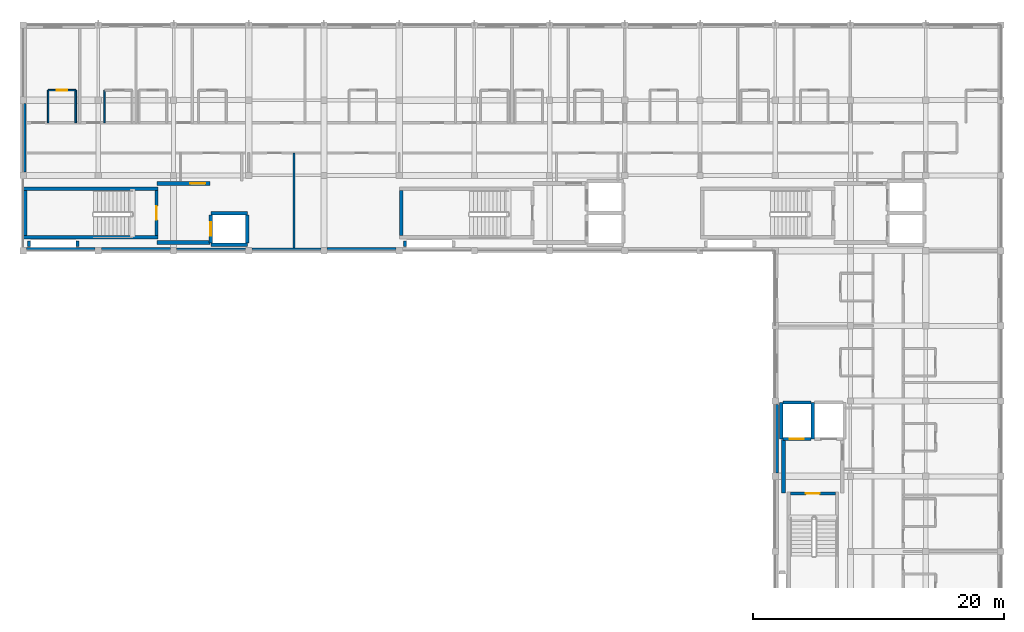
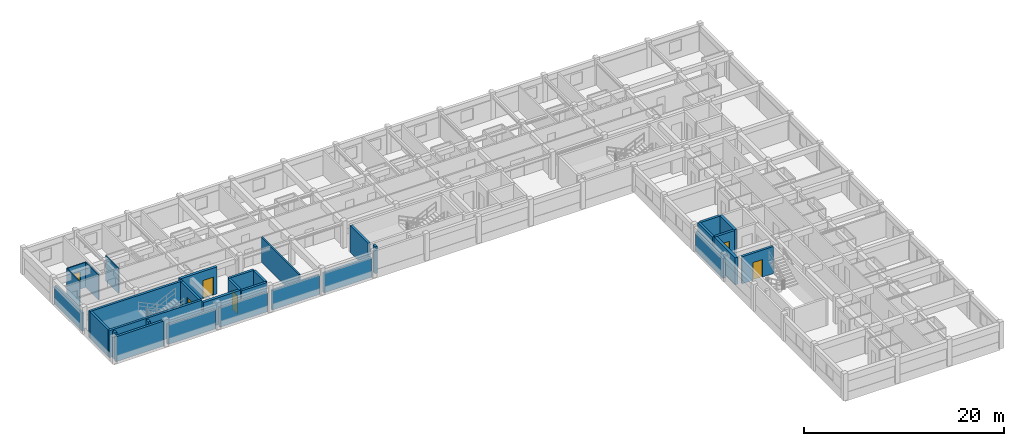
# One storey, part 3 of 14: 32 walls, 6 doors, 6 openings.
"""IFC4 building model written with IfcOpenShell, lengths in metres."""

from ifc_helpers import new_model, si_unit, direction, frame, frame_2d, origin, place, context, subcontext, project, spatial, rectangle, extrude, material, layer, layer_set, type_object, element, fill, save


model = new_model("IFC4")

# Units and contexts
model_context = context("Model", 3, precision=1e-05, world=origin(), true_north=direction((0.0, 1.0)))
body_context = subcontext(model_context, "Body", "Model", "MODEL_VIEW")
ifc_project = project(units=[si_unit("LENGTHUNIT", "METRE"), si_unit("AREAUNIT", "SQUARE_METRE"), si_unit("VOLUMEUNIT", "CUBIC_METRE"), si_unit("PLANEANGLEUNIT", "RADIAN"), si_unit("MASSUNIT", "GRAM", prefix="KILO"), si_unit("THERMODYNAMICTEMPERATUREUNIT", "KELVIN"), si_unit("POWERUNIT", "WATT")], contexts=[model_context])

# Site, building, storey
site_placement = place(None, origin())
site = spatial("IfcSite", under=ifc_project, at=site_placement, CompositionType="ELEMENT")
building_placement = place(site_placement, origin())
building = spatial("IfcBuilding", under=site, at=building_placement, Name="Phaisarnlok Congress Hotel", CompositionType="ELEMENT")
storey_placement = place(building_placement, frame((0.0, 0.0, 48.0)))
storey = spatial("IfcBuildingStorey", under=building, at=storey_placement, Name="L12", CompositionType="ELEMENT", Elevation=48.0)

# Walls
ifc_material_1 = material(Name="Concrete C40/50", Category="concrete")
ifc_layer_1 = layer(ifc_material_1, 0.2099609375, Name="Concrete C40/50")
ifc_layer_set_1 = layer_set([ifc_layer_1], Name="Concrete C40/50")
wall_type_1 = type_object("IfcWallType", Name="WL-EXT-210", PredefinedType="SOLIDWALL", material=ifc_layer_set_1)
wall_1_placement = place(storey_placement, frame((120.2548828125, 108.10498046875, 0.0), z_axis=(0.0, 0.0, 1.0), x_axis=(1.0, 0.0, 0.0)))
element("IfcWall", 1, at=wall_1_placement, inside=storey, type_object=wall_type_1, Name="Exterior wall EW-07 (L12)", PredefinedType="SOLIDWALL", context=body_context, shape_type="SweptSolid", body=[
    extrude(rectangle(XDim=5.490234375, YDim=0.2099609375, at=frame_2d((2.7451171875, 0.0))), origin(), (0.0, 0.0, 1.0), 2.39990234375),
])
ifc_layer_2 = layer(ifc_material_1, 0.22998046875, Name="Concrete C40/50")
ifc_layer_set_2 = layer_set([ifc_layer_2], Name="Concrete C40/50")
wall_type_2 = type_object("IfcWallType", Name="WL-EXT-230", PredefinedType="SOLIDWALL", material=ifc_layer_set_2)
wall_2_placement = place(storey_placement, frame((102.114990234375, 119.7451171875, 0.0), z_axis=(0.0, 0.0, 1.0), x_axis=(0.0, -1.0, 0.0)))
element("IfcWall", 2, at=wall_2_placement, inside=storey, type_object=wall_type_2, Name="Exterior wall EW-06 (L12)", PredefinedType="SOLIDWALL", context=body_context, shape_type="SweptSolid", body=[
    extrude(rectangle(XDim=5.490234375, YDim=0.22998046875, at=frame_2d((2.7451171875, 0.0))), origin(), (0.0, 0.0, 1.0), 2.25),
])
wall_3_placement = place(storey_placement, frame((114.2548828125, 108.114990234375, 0.0), z_axis=(0.0, 0.0, 1.0), x_axis=(1.0, 0.0, 0.0)))
element("IfcWall", 3, at=wall_3_placement, inside=storey, type_object=wall_type_2, Name="Exterior wall EW-06 (L12)", PredefinedType="SOLIDWALL", context=body_context, shape_type="SweptSolid", body=[
    extrude(rectangle(XDim=5.490234375, YDim=0.22998046875, at=frame_2d((2.7451171875, 0.0))), origin(), (0.0, 0.0, 1.0), 2.39990234375),
])
ifc_layer_3 = layer(ifc_material_1, 0.25, Name="Concrete C40/50")
ifc_layer_set_3 = layer_set([ifc_layer_3], Name="Concrete C40/50")
wall_type_3 = type_object("IfcWallType", Name="WL-EXT-250", PredefinedType="SOLIDWALL", material=ifc_layer_set_3)
wall_4_placement = place(storey_placement, frame((108.2548828125, 108.125, 0.0), z_axis=(0.0, 0.0, 1.0), x_axis=(1.0, 0.0, 0.0)))
element("IfcWall", 4, at=wall_4_placement, inside=storey, type_object=wall_type_3, Name="Exterior wall EW-05 (L12)", PredefinedType="SOLIDWALL", context=body_context, shape_type="SweptSolid", body=[
    extrude(rectangle(XDim=5.490234375, YDim=0.25, at=frame_2d((2.7451171875, 0.0))), origin(), (0.0, 0.0, 1.0), 2.39990234375),
])
ifc_layer_4 = layer(ifc_material_1, 0.27001953125, Name="Concrete C40/50")
ifc_layer_set_4 = layer_set([ifc_layer_4], Name="Concrete C40/50")
wall_type_4 = type_object("IfcWallType", Name="WL-EXT-270", PredefinedType="SOLIDWALL", material=ifc_layer_set_4)
wall_5_placement = place(storey_placement, frame((102.2548828125, 108.135009765625, 0.0), z_axis=(0.0, 0.0, 1.0), x_axis=(1.0, 0.0, 0.0)))
element("IfcWall", 5, at=wall_5_placement, inside=storey, type_object=wall_type_4, Name="Exterior wall EW-04 (L12)", PredefinedType="SOLIDWALL", context=body_context, shape_type="SweptSolid", body=[
    extrude(rectangle(XDim=5.490234375, YDim=0.27001953125, at=frame_2d((2.7451171875, 0.0))), origin(), (0.0, 0.0, 1.0), 3.050048828125),
])
for number, where, z_axis, x_axis, name in (
    (6, (126.2548828125, 108.135009765625, 0.0), (0.0, 0.0, 1.0), (1.0, 0.0, 0.0), "Exterior wall EW-04 (L12)"),
    (7, (162.135009765625, 95.7451171875, 0.0), (0.0, 0.0, 1.0), (0.0, -1.0, 0.0), "Exterior wall EW-04 (L12)"),
):
    element("IfcWall", number, at=place(storey_placement, frame(where, z_axis=z_axis, x_axis=x_axis)), inside=storey, type_object=wall_type_4, Name=name, PredefinedType="SOLIDWALL", context=body_context, shape_type="SweptSolid", body=[
        extrude(rectangle(XDim=5.490234375, YDim=0.27001953125, at=frame_2d((2.7451171875, 0.0))), origin(), (0.0, 0.0, 1.0), 2.39990234375),
    ])
ifc_material_2 = material(Name="Lightweight Metal-Stud Gypsum Partition", Category="gypsum")
ifc_layer_5 = layer(ifc_material_2, 0.1201171875, Name="Lightweight Metal-Stud Gypsum Partition")
ifc_layer_set_5 = layer_set([ifc_layer_5], Name="Lightweight Metal-Stud Gypsum Partition")
wall_type_5 = type_object("IfcWallType", Name="WL-INT-120", PredefinedType="PARTITIONING", material=ifc_layer_set_5)
wall_6_placement = place(storey_placement, frame((104.0, 118.199951171875, 0.0), z_axis=(0.0, 0.0, 1.0), x_axis=(0.0, 1.0, 0.0)))
element("IfcWall", 8, at=wall_6_placement, inside=storey, type_object=wall_type_5, Name="Interior partition wall IW-07 (L12)", PredefinedType="PARTITIONING", context=body_context, shape_type="SweptSolid", body=[
    extrude(rectangle(XDim=2.60009765625, YDim=0.1201171875, at=frame_2d((1.300048828125, 0.0))), origin(), (0.0, 0.0, 1.0), 3.050048828125),
])

# Wall, opening, door
wall_7_placement = place(storey_placement, frame((104.0, 120.800048828125, 0.0), z_axis=(0.0, 0.0, 1.0), x_axis=(1.0, 0.0, 0.0)))
wall_7 = element("IfcWall", 9, at=wall_7_placement, inside=storey, type_object=wall_type_5, Name="Interior partition wall IW-07 (L12)", PredefinedType="PARTITIONING", context=body_context, shape_type="SweptSolid", body=[
    extrude(rectangle(XDim=2.199951171875, YDim=0.1201171875, at=frame_2d((1.10009765625, 0.0))), origin(), (0.0, 0.0, 1.0), 3.050048828125),
])
opening_1_placement = place(wall_7_placement, frame((0.675048828125, 0.0, 0.0)))
opening_1 = element("IfcOpeningElement", 10, at=opening_1_placement, cuts=wall_7, Name="Opening D-0679", PredefinedType="OPENING", context=body_context, shape_type="SweptSolid", body=[
    extrude(rectangle(XDim=0.85009765625, YDim=2.10009765625, at=frame_2d((0.425048828125, 1.050048828125))), frame((0.0, 0.070068359375, 0.0), z_axis=(0.0, -1.0, 0.0), x_axis=(1.0, 0.0, 0.0)), (0.0, 0.0, 1.0), 0.14013671875),
])
ifc_material_3 = material(Name="Moisture-Resistant Lacquered Timber", Category="wood")
door_type_1 = type_object("IfcDoorType", Name="DR-BATH-850", OperationType="NOTDEFINED", PredefinedType="DOOR", material=ifc_material_3)
door_1_placement = place(opening_1_placement, origin())
door_1 = element("IfcDoor", 11, at=door_1_placement, inside=storey, type_object=door_type_1, Name="Interior door D-0679 (L12)", OperationType="SINGLE_SWING_RIGHT", OverallHeight=2.10009765625, OverallWidth=0.85009765625, PredefinedType="DOOR", context=body_context, shape_type="SweptSolid", body=[
    extrude(rectangle(XDim=0.85009765625, YDim=2.10009765625, at=frame_2d((0.425048828125, 1.050048828125))), frame((0.0, 0.02490234375, 0.0), z_axis=(0.0, -1.0, 0.0), x_axis=(1.0, 0.0, 0.0)), (0.0, 0.0, 1.0), 0.050048828125),
])
fill(opening_1, door_1)

# Walls
ifc_material_4 = material(Name="Moisture-Resistant Gypsum Partition", Category="gypsum")
ifc_layer_6 = layer(ifc_material_4, 0.135009765625, Name="Moisture-Resistant Gypsum Partition")
ifc_layer_set_6 = layer_set([ifc_layer_6], Name="Moisture-Resistant Gypsum Partition")
wall_type_6 = type_object("IfcWallType", Name="WL-INT-135", PredefinedType="PARTITIONING", material=ifc_layer_set_6)
for number, where, z_axis, x_axis, name in (
    (12, (106.199951171875, 118.199951171875, 0.0), (0.0, 0.0, 1.0), (0.0, 1.0, 0.0), "Interior partition wall IW-06 (L12)"),
    (13, (108.5, 118.199951171875, 0.0), (0.0, 0.0, 1.0), (0.0, 1.0, 0.0), "Interior partition wall IW-06 (L12)"),
):
    element("IfcWall", number, at=place(storey_placement, frame(where, z_axis=z_axis, x_axis=x_axis)), inside=storey, type_object=wall_type_6, Name=name, PredefinedType="PARTITIONING", context=body_context, shape_type="SweptSolid", body=[
        extrude(rectangle(XDim=2.60009765625, YDim=0.135009765625, at=frame_2d((1.300048828125, 0.0))), origin(), (0.0, 0.0, 1.0), 3.050048828125),
    ])
ifc_material_5 = material(Name="Autoclaved Aerated Concrete Block", Category="concrete")
ifc_layer_7 = layer(ifc_material_5, 0.179931640625, Name="Autoclaved Aerated Concrete Block")
ifc_layer_set_7 = layer_set([ifc_layer_7], Name="Autoclaved Aerated Concrete Block")
wall_type_7 = type_object("IfcWallType", Name="WL-INT-180", PredefinedType="PARTITIONING", material=ifc_layer_set_7)
wall_8_placement = place(storey_placement, frame((123.60009765625, 108.215087890625, 0.0), z_axis=(0.0, 0.0, 1.0), x_axis=(0.0, 1.0, 0.0)))
element("IfcWall", 14, at=wall_8_placement, inside=storey, type_object=wall_type_7, Name="Interior partition wall IW-03 (L12)", PredefinedType="PARTITIONING", context=body_context, shape_type="SweptSolid", body=[
    extrude(rectangle(XDim=7.5849609375, YDim=0.179931640625, at=frame_2d((3.79248046875, 0.0))), origin(), (0.0, 0.0, 1.0), 3.050048828125),
])
ifc_material_6 = material(Name="Concrete C50/60", Category="concrete")
ifc_layer_8 = layer(ifc_material_6, 0.260009765625, Name="Concrete C50/60")
ifc_layer_set_8 = layer_set([ifc_layer_8], Name="Concrete C50/60")
wall_type_8 = type_object("IfcWallType", Name="WL-SHR-260", PredefinedType="SHEAR", material=ifc_layer_set_8)
wall_9_placement = place(storey_placement, frame((132.169921875, 109.199951171875, 0.0), z_axis=(0.0, 0.0, 1.0), x_axis=(0.0, 1.0, 0.0)))
element("IfcWall", 15, at=wall_9_placement, inside=storey, type_object=wall_type_8, Name="Stair shaft shear wall SW-04 (CORE-2 L12)", PredefinedType="SHEAR", context=body_context, shape_type="SweptSolid", body=[
    extrude(rectangle(XDim=3.60009765625, YDim=0.260009765625, at=frame_2d((1.800048828125, 0.0))), origin(), (0.0, 0.0, 1.0), 3.300048828125),
])
wall_10_placement = place(storey_placement, frame((132.469970703125, 108.330078125, 0.0), z_axis=(0.0, 0.0, 1.0), x_axis=(0.0, 1.0, 0.0)))
element("IfcWall", 16, at=wall_10_placement, inside=storey, type_object=wall_type_8, Name="Service riser shaft wall SW-04 (CORE-2 L12)", PredefinedType="SHEAR", context=body_context, shape_type="SweptSolid", body=[
    extrude(rectangle(XDim=0.43994140625, YDim=0.260009765625, at=frame_2d((0.219970703125, 0.0))), origin(), (0.0, 0.0, 1.0), 3.300048828125),
])

# Wall, opening, door
wall_11_placement = place(storey_placement, frame((163.199951171875, 88.6298828125, 0.0), z_axis=(0.0, 0.0, 1.0), x_axis=(1.0, 0.0, 0.0)))
wall_11 = element("IfcWall", 17, at=wall_11_placement, inside=storey, type_object=wall_type_8, Name="Stair shaft shear wall SW-04 (CORE-3 L12)", PredefinedType="SHEAR", context=body_context, shape_type="SweptSolid", body=[
    extrude(rectangle(XDim=3.60009765625, YDim=0.260009765625, at=frame_2d((1.800048828125, 0.0))), origin(), (0.0, 0.0, 1.0), 3.300048828125),
])
opening_2_placement = place(wall_11_placement, frame((1.25, 0.0, 0.0)))
opening_2 = element("IfcOpeningElement", 18, at=opening_2_placement, cuts=wall_11, Name="Opening FD-074", PredefinedType="OPENING", context=body_context, shape_type="SweptSolid", body=[
    extrude(rectangle(XDim=1.10009765625, YDim=2.14990234375, at=frame_2d((0.550048828125, 1.074951171875))), frame((0.0, 0.14013671875, 0.0), z_axis=(0.0, -1.0, 0.0), x_axis=(1.0, 0.0, 0.0)), (0.0, 0.0, 1.0), 0.280029296875),
])
ifc_material_7 = material(Name="Fire-Rated Steel Frame & Timber Leaf", Category="steel")
door_type_2 = type_object("IfcDoorType", Name="DR-FD60-1100", OperationType="NOTDEFINED", PredefinedType="DOOR", material=ifc_material_7)
door_2_placement = place(opening_2_placement, origin())
door_2 = element("IfcDoor", 19, at=door_2_placement, inside=storey, type_object=door_type_2, Name="Stair enclosure fire door FD-074 (L12)", OperationType="SINGLE_SWING_LEFT", OverallHeight=2.14990234375, OverallWidth=1.10009765625, PredefinedType="DOOR", context=body_context, shape_type="SweptSolid", body=[
    extrude(rectangle(XDim=1.10009765625, YDim=2.14990234375, at=frame_2d((0.550048828125, 1.074951171875))), frame((0.0, 0.02490234375, 0.0), z_axis=(0.0, -1.0, 0.0), x_axis=(1.0, 0.0, 0.0)), (0.0, 0.0, 1.0), 0.050048828125),
])
fill(opening_2, door_2)

# Walls
wall_12_placement = place(storey_placement, frame((162.469970703125, 92.969970703125, 0.0), z_axis=(0.0, 0.0, 1.0), x_axis=(0.0, 1.0, 0.0)))
element("IfcWall", 20, at=wall_12_placement, inside=storey, type_object=wall_type_8, Name="Lift shaft shear wall SW-04 (LF-HP3 L12)", PredefinedType="SHEAR", context=body_context, shape_type="SweptSolid", body=[
    extrude(rectangle(XDim=2.909912109375, YDim=0.260009765625, at=frame_2d((1.455078125, 0.0))), origin(), (0.0, 0.0, 1.0), 3.300048828125),
])
wall_13_placement = place(storey_placement, frame((162.60009765625, 95.8798828125, 0.0), z_axis=(0.0, 0.0, 1.0), x_axis=(1.0, 0.0, 0.0)))
element("IfcWall", 21, at=wall_13_placement, inside=storey, type_object=wall_type_8, Name="Lift shaft shear wall SW-04 (LF-HP3 L12)", PredefinedType="SHEAR", context=body_context, shape_type="SweptSolid", body=[
    extrude(rectangle(XDim=2.25, YDim=0.260009765625, at=frame_2d((1.125, 0.0))), origin(), (0.0, 0.0, 1.0), 3.300048828125),
])

# Wall, opening, door
wall_14_placement = place(storey_placement, frame((162.60009765625, 92.969970703125, 0.0), z_axis=(0.0, 0.0, 1.0), x_axis=(1.0, 0.0, 0.0)))
wall_14 = element("IfcWall", 22, at=wall_14_placement, inside=storey, type_object=wall_type_8, Name="Lift shaft front wall SW-04 (LF-HP3 L12)", PredefinedType="SHEAR", context=body_context, shape_type="SweptSolid", body=[
    extrude(rectangle(XDim=2.25, YDim=0.260009765625, at=frame_2d((1.125, 0.0))), origin(), (0.0, 0.0, 1.0), 3.300048828125),
])
opening_3_placement = place(wall_14_placement, frame((0.574951171875, 0.0, 0.0)))
opening_3 = element("IfcOpeningElement", 23, at=opening_3_placement, cuts=wall_14, Name="Opening LD-074", PredefinedType="OPENING", context=body_context, shape_type="SweptSolid", body=[
    extrude(rectangle(XDim=1.10009765625, YDim=2.199951171875, at=frame_2d((0.550048828125, 1.10009765625))), frame((0.0, 0.14013671875, 0.0), z_axis=(0.0, -1.0, 0.0), x_axis=(1.0, 0.0, 0.0)), (0.0, 0.0, 1.0), 0.280029296875),
])
ifc_material_8 = material(Name="Brushed Stainless Steel Grade 304", Category="steel")
door_type_3 = type_object("IfcDoorType", Name="DR-LD-1100", OperationType="DOUBLE_DOOR_SLIDING", PredefinedType="DOOR", material=ifc_material_8)
door_3_placement = place(opening_3_placement, origin())
door_3 = element("IfcDoor", 24, at=door_3_placement, inside=storey, type_object=door_type_3, Name="Lift landing sliding door LD-074 (LF-HP3 L12)", OperationType="DOUBLE_DOOR_SLIDING", OverallHeight=2.199951171875, OverallWidth=1.10009765625, PredefinedType="DOOR", context=body_context, shape_type="SweptSolid", body=[
    extrude(rectangle(XDim=1.10009765625, YDim=2.199951171875, at=frame_2d((0.550048828125, 1.10009765625))), frame((0.0, 0.02490234375, 0.0), z_axis=(0.0, -1.0, 0.0), x_axis=(1.0, 0.0, 0.0)), (0.0, 0.0, 1.0), 0.050048828125),
])
fill(opening_3, door_3)

# Walls
for number, where, z_axis, x_axis, name in (
    (25, (102.0400390625, 109.070068359375, 0.0), (0.0, 0.0, 1.0), (1.0, 0.0, 0.0), "Stair shaft shear wall SW-04 (CORE-4 L12)"),
    (26, (102.0400390625, 112.929931640625, 0.0), (0.0, 0.0, 1.0), (1.0, 0.0, 0.0), "Stair shaft shear wall SW-04 (CORE-4 L12)"),
):
    element("IfcWall", number, at=place(storey_placement, frame(where, z_axis=z_axis, x_axis=x_axis)), inside=storey, type_object=wall_type_8, Name=name, PredefinedType="SHEAR", context=body_context, shape_type="SweptSolid", body=[
        extrude(rectangle(XDim=10.719970703125, YDim=0.260009765625, at=frame_2d((5.35986328125, 0.0))), origin(), (0.0, 0.0, 1.0), 3.300048828125),
    ])

# Wall, opening, door
wall_15_placement = place(storey_placement, frame((112.6298828125, 109.199951171875, 0.0), z_axis=(0.0, 0.0, 1.0), x_axis=(0.0, 1.0, 0.0)))
wall_15 = element("IfcWall", 27, at=wall_15_placement, inside=storey, type_object=wall_type_8, Name="Stair shaft shear wall SW-04 (CORE-4 L12)", PredefinedType="SHEAR", context=body_context, shape_type="SweptSolid", body=[
    extrude(rectangle(XDim=3.60009765625, YDim=0.260009765625, at=frame_2d((1.800048828125, 0.0))), origin(), (0.0, 0.0, 1.0), 3.300048828125),
])
opening_4_placement = place(wall_15_placement, frame((1.25, 0.0, 0.0)))
opening_4 = element("IfcOpeningElement", 28, at=opening_4_placement, cuts=wall_15, Name="Opening FD-104", PredefinedType="OPENING", context=body_context, shape_type="SweptSolid", body=[
    extrude(rectangle(XDim=1.10009765625, YDim=2.14990234375, at=frame_2d((0.550048828125, 1.074951171875))), frame((0.0, 0.14013671875, 0.0), z_axis=(0.0, -1.0, 0.0), x_axis=(1.0, 0.0, 0.0)), (0.0, 0.0, 1.0), 0.280029296875),
])
door_4_placement = place(opening_4_placement, origin())
door_4 = element("IfcDoor", 29, at=door_4_placement, inside=storey, type_object=door_type_2, Name="Stair enclosure fire door FD-104 (L12)", OperationType="SINGLE_SWING_LEFT", OverallHeight=2.14990234375, OverallWidth=1.10009765625, PredefinedType="DOOR", context=body_context, shape_type="SweptSolid", body=[
    extrude(rectangle(XDim=1.10009765625, YDim=2.14990234375, at=frame_2d((0.550048828125, 1.074951171875))), frame((0.0, 0.02490234375, 0.0), z_axis=(0.0, -1.0, 0.0), x_axis=(1.0, 0.0, 0.0)), (0.0, 0.0, 1.0), 0.050048828125),
])
fill(opening_4, door_4)

# Walls
for number, where, z_axis, x_axis, name in (
    (30, (116.969970703125, 108.469970703125, 0.0), (0.0, 0.0, 1.0), (1.0, 0.0, 0.0), "Lift shaft shear wall SW-04 (LF-HP4 L12)"),
    (31, (116.969970703125, 110.97998046875, 0.0), (0.0, 0.0, 1.0), (1.0, 0.0, 0.0), "Lift shaft shear wall SW-04 (LF-HP4 L12)"),
):
    element("IfcWall", number, at=place(storey_placement, frame(where, z_axis=z_axis, x_axis=x_axis)), inside=storey, type_object=wall_type_8, Name=name, PredefinedType="SHEAR", context=body_context, shape_type="SweptSolid", body=[
        extrude(rectangle(XDim=2.909912109375, YDim=0.260009765625, at=frame_2d((1.455078125, 0.0))), origin(), (0.0, 0.0, 1.0), 3.300048828125),
    ])
wall_16_placement = place(storey_placement, frame((119.8798828125, 108.60009765625, 0.0), z_axis=(0.0, 0.0, 1.0), x_axis=(0.0, 1.0, 0.0)))
element("IfcWall", 32, at=wall_16_placement, inside=storey, type_object=wall_type_8, Name="Lift shaft shear wall SW-04 (LF-HP4 L12)", PredefinedType="SHEAR", context=body_context, shape_type="SweptSolid", body=[
    extrude(rectangle(XDim=2.25, YDim=0.260009765625, at=frame_2d((1.125, 0.0))), origin(), (0.0, 0.0, 1.0), 3.300048828125),
])

# Wall, opening, door
wall_17_placement = place(storey_placement, frame((116.969970703125, 108.60009765625, 0.0), z_axis=(0.0, 0.0, 1.0), x_axis=(0.0, 1.0, 0.0)))
wall_17 = element("IfcWall", 33, at=wall_17_placement, inside=storey, type_object=wall_type_8, Name="Lift shaft front wall SW-04 (LF-HP4 L12)", PredefinedType="SHEAR", context=body_context, shape_type="SweptSolid", body=[
    extrude(rectangle(XDim=2.25, YDim=0.260009765625, at=frame_2d((1.125, 0.0))), origin(), (0.0, 0.0, 1.0), 3.300048828125),
])
opening_5_placement = place(wall_17_placement, frame((0.574951171875, 0.0, 0.0)))
opening_5 = element("IfcOpeningElement", 34, at=opening_5_placement, cuts=wall_17, Name="Opening LD-104", PredefinedType="OPENING", context=body_context, shape_type="SweptSolid", body=[
    extrude(rectangle(XDim=1.10009765625, YDim=2.199951171875, at=frame_2d((0.550048828125, 1.10009765625))), frame((0.0, 0.14013671875, 0.0), z_axis=(0.0, -1.0, 0.0), x_axis=(1.0, 0.0, 0.0)), (0.0, 0.0, 1.0), 0.280029296875),
])
door_5_placement = place(opening_5_placement, origin())
door_5 = element("IfcDoor", 35, at=door_5_placement, inside=storey, type_object=door_type_3, Name="Lift landing sliding door LD-104 (LF-HP4 L12)", OperationType="DOUBLE_DOOR_SLIDING", OverallHeight=2.199951171875, OverallWidth=1.10009765625, PredefinedType="DOOR", context=body_context, shape_type="SweptSolid", body=[
    extrude(rectangle(XDim=1.10009765625, YDim=2.199951171875, at=frame_2d((0.550048828125, 1.10009765625))), frame((0.0, 0.02490234375, 0.0), z_axis=(0.0, -1.0, 0.0), x_axis=(1.0, 0.0, 0.0)), (0.0, 0.0, 1.0), 0.050048828125),
])
fill(opening_5, door_5)

# Walls
for number, where, z_axis, x_axis, name in (
    (36, (102.469970703125, 108.330078125, 0.0), (0.0, 0.0, 1.0), (0.0, 1.0, 0.0), "Service riser shaft wall SW-04 (CORE-4 L12)"),
    (37, (106.330078125, 108.330078125, 0.0), (0.0, 0.0, 1.0), (0.0, 1.0, 0.0), "Service riser shaft wall SW-04 (CORE-4 L12)"),
):
    element("IfcWall", number, at=place(storey_placement, frame(where, z_axis=z_axis, x_axis=x_axis)), inside=storey, type_object=wall_type_8, Name=name, PredefinedType="SHEAR", context=body_context, shape_type="SweptSolid", body=[
        extrude(rectangle(XDim=0.43994140625, YDim=0.260009765625, at=frame_2d((0.219970703125, 0.0))), origin(), (0.0, 0.0, 1.0), 3.300048828125),
    ])
ifc_layer_9 = layer(ifc_material_6, 0.260009765625, Name="Concrete C50/60")
ifc_layer_set_9 = layer_set([ifc_layer_9], Name="Concrete C50/60")
wall_type_9 = type_object("IfcWallType", Name="WL-SHR-260-EXT", PredefinedType="SHEAR", material=ifc_layer_set_9)
wall_18_placement = place(storey_placement, frame((102.169921875, 109.199951171875, 0.0), z_axis=(0.0, 0.0, 1.0), x_axis=(0.0, 1.0, 0.0)))
element("IfcWall", 38, at=wall_18_placement, inside=storey, type_object=wall_type_9, Name="Stair shaft shear wall SW-04E (CORE-4 L12)", PredefinedType="SHEAR", context=body_context, shape_type="SweptSolid", body=[
    extrude(rectangle(XDim=3.60009765625, YDim=0.260009765625, at=frame_2d((1.800048828125, 0.0))), origin(), (0.0, 0.0, 1.0), 3.300048828125),
])
ifc_layer_10 = layer(ifc_material_6, 0.300048828125, Name="Concrete C50/60")
ifc_layer_set_10 = layer_set([ifc_layer_10], Name="Concrete C50/60")
wall_type_10 = type_object("IfcWallType", Name="WL-SHR-300", PredefinedType="SHEAR", material=ifc_layer_set_10)
wall_19_placement = place(storey_placement, frame((165.0, 92.969970703125, 0.0), z_axis=(0.0, 0.0, 1.0), x_axis=(0.0, 1.0, 0.0)))
element("IfcWall", 39, at=wall_19_placement, inside=storey, type_object=wall_type_10, Name="Lift shaft divider shear wall SW-03 (LF-HP3 L12)", PredefinedType="SHEAR", context=body_context, shape_type="SweptSolid", body=[
    extrude(rectangle(XDim=2.909912109375, YDim=0.300048828125, at=frame_2d((1.455078125, 0.0))), origin(), (0.0, 0.0, 1.0), 3.300048828125),
])
wall_20_placement = place(storey_placement, frame((162.64990234375, 88.679931640625, 0.0), z_axis=(0.0, 0.0, 1.0), x_axis=(0.0, 1.0, 0.0)))
element("IfcWall", 40, at=wall_20_placement, inside=storey, type_object=wall_type_10, Name="Core lobby EI-120 wall SW-03 (CORE-3 L12)", PredefinedType="SHEAR", context=body_context, shape_type="SweptSolid", body=[
    extrude(rectangle(XDim=4.239990234375, YDim=0.300048828125, at=frame_2d((2.1201171875, 0.0))), origin(), (0.0, 0.0, 1.0), 3.300048828125),
])

# Wall, opening, door
wall_21_placement = place(storey_placement, frame((112.679931640625, 113.35009765625, 0.0), z_axis=(0.0, 0.0, 1.0), x_axis=(1.0, 0.0, 0.0)))
wall_21 = element("IfcWall", 41, at=wall_21_placement, inside=storey, type_object=wall_type_10, Name="Core lobby EI-120 wall SW-03 (CORE-4 L12)", PredefinedType="SHEAR", context=body_context, shape_type="SweptSolid", body=[
    extrude(rectangle(XDim=4.239990234375, YDim=0.300048828125, at=frame_2d((2.1201171875, 0.0))), origin(), (0.0, 0.0, 1.0), 3.300048828125),
])
opening_6_placement = place(wall_21_placement, frame((2.64990234375, 0.0, 0.0)))
opening_6 = element("IfcOpeningElement", 42, at=opening_6_placement, cuts=wall_21, Name="Opening FD-119", PredefinedType="OPENING", context=body_context, shape_type="SweptSolid", body=[
    extrude(rectangle(XDim=1.199951171875, YDim=2.199951171875, at=frame_2d((0.60009765625, 1.10009765625))), frame((0.0, 0.16015625, 0.0), z_axis=(0.0, -1.0, 0.0), x_axis=(1.0, 0.0, 0.0)), (0.0, 0.0, 1.0), 0.320068359375),
])
door_type_4 = type_object("IfcDoorType", Name="DR-FD60-1200", OperationType="NOTDEFINED", PredefinedType="DOOR", material=ifc_material_7)
door_6_placement = place(opening_6_placement, origin())
door_6 = element("IfcDoor", 43, at=door_6_placement, inside=storey, type_object=door_type_4, Name="Firefighting lobby entrance door FD-119 (CORE-4 L12)", OperationType="SINGLE_SWING_RIGHT", OverallHeight=2.199951171875, OverallWidth=1.199951171875, PredefinedType="DOOR", context=body_context, shape_type="SweptSolid", body=[
    extrude(rectangle(XDim=1.199951171875, YDim=2.199951171875, at=frame_2d((0.60009765625, 1.10009765625))), frame((0.0, 0.02490234375, 0.0), z_axis=(0.0, -1.0, 0.0), x_axis=(1.0, 0.0, 0.0)), (0.0, 0.0, 1.0), 0.050048828125),
])
fill(opening_6, door_6)

# Wall
wall_22_placement = place(storey_placement, frame((112.679931640625, 108.64990234375, 0.0), z_axis=(0.0, 0.0, 1.0), x_axis=(1.0, 0.0, 0.0)))
element("IfcWall", 44, at=wall_22_placement, inside=storey, type_object=wall_type_10, Name="Core lobby EI-120 wall SW-03 (CORE-4 L12)", PredefinedType="SHEAR", context=body_context, shape_type="SweptSolid", body=[
    extrude(rectangle(XDim=4.239990234375, YDim=0.300048828125, at=frame_2d((2.1201171875, 0.0))), origin(), (0.0, 0.0, 1.0), 3.300048828125),
])

save(model, "model.ifc")
